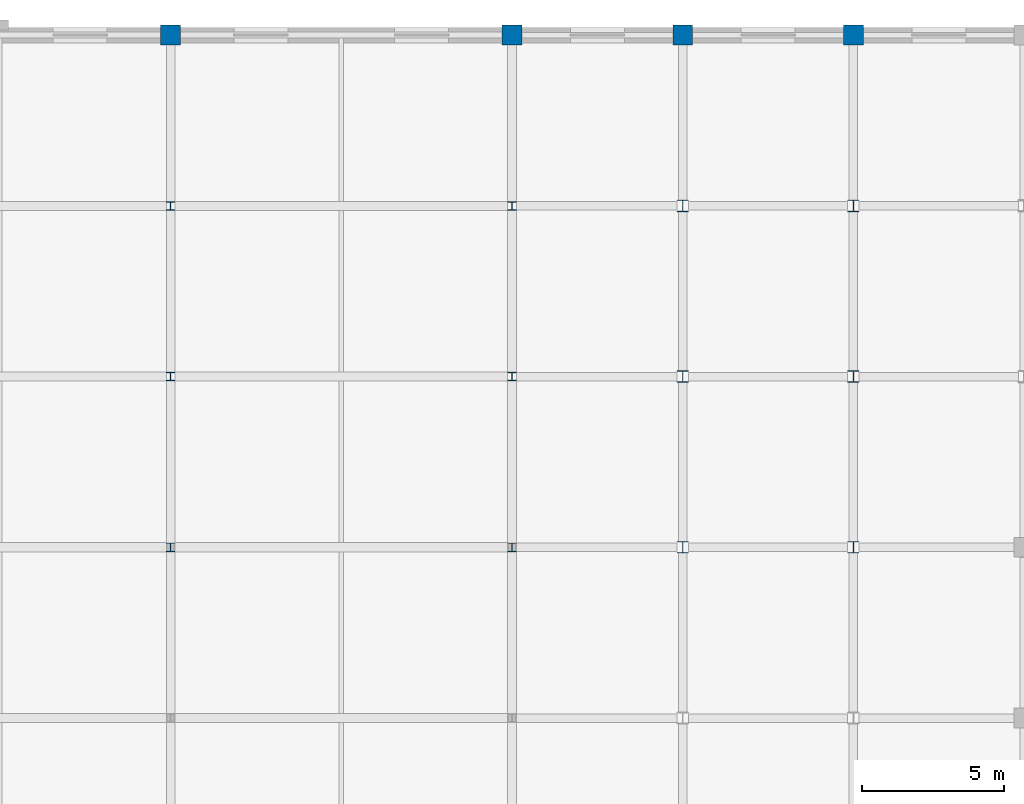
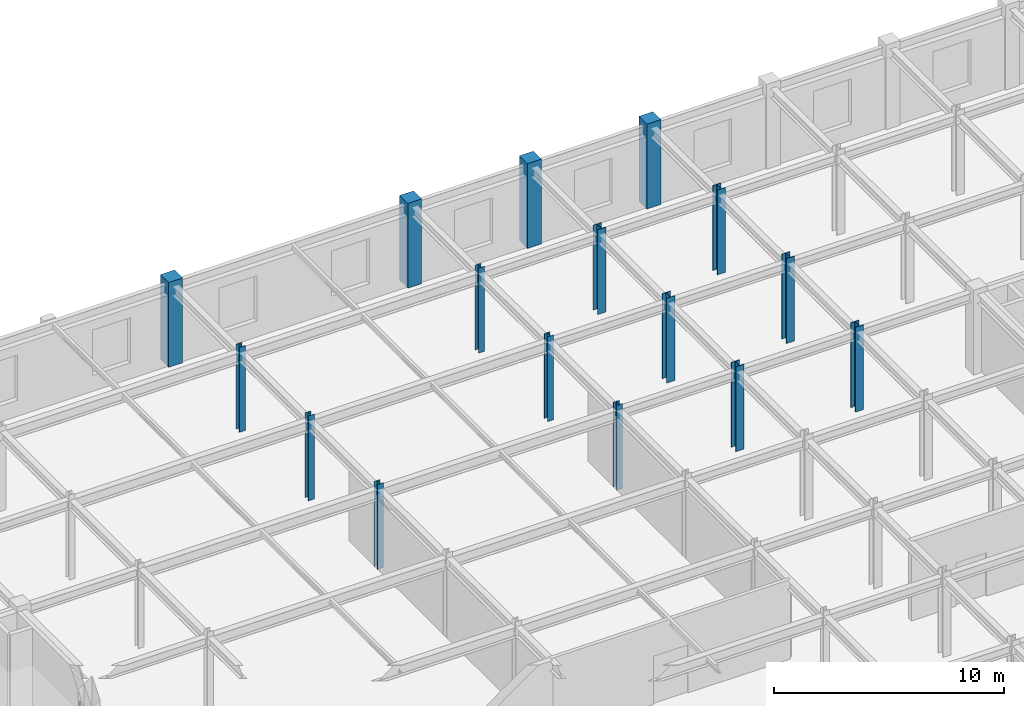
# One storey, part 13 of 108: 16 columns.
"""IFC4 building model written with IfcOpenShell, lengths in metres."""

from ifc_helpers import new_model, si_unit, direction, frame, origin, origin_2d, place, context, subcontext, project, spatial, rectangle, i_section, extrude, material, material_profile, profile_set, type_object, element, save


model = new_model("IFC4")

# Units and contexts
model_context = context("Model", 3, precision=1e-05, world=origin(), true_north=direction((0.0, 1.0)))
body_context = subcontext(model_context, "Body", "Model", "MODEL_VIEW")
ifc_project = project(units=[si_unit("LENGTHUNIT", "METRE"), si_unit("AREAUNIT", "SQUARE_METRE"), si_unit("VOLUMEUNIT", "CUBIC_METRE"), si_unit("PLANEANGLEUNIT", "RADIAN"), si_unit("MASSUNIT", "GRAM", prefix="KILO")], contexts=[model_context])

# Site, building, storey
site_placement = place(None, origin())
site = spatial("IfcSite", under=ifc_project, at=site_placement, CompositionType="ELEMENT")
building_placement = place(site_placement, origin())
building = spatial("IfcBuilding", under=site, at=building_placement, Name="Zlatovratsky Civic Hall", CompositionType="ELEMENT")
storey_placement = place(building_placement, frame((0.0, 0.0, 12.0)))
storey = spatial("IfcBuildingStorey", under=building, at=storey_placement, Name="L03", CompositionType="ELEMENT", Elevation=12.0)

# Columns
ifc_material_1 = material(Name="Concrete C35/45 (B40)", Category="concrete")
ifc_material_profile_1 = material_profile(ifc_material_1, rectangle(XDim=0.699951171875, YDim=0.699951171875, at=origin_2d()), Name="RC 700x700")
ifc_profile_set_1 = profile_set([ifc_material_profile_1], Name="Concrete C35/45 (B40)")
column_type_1 = type_object("IfcColumnType", Name="Col_CorePier_RC700", PredefinedType="COLUMN", material=ifc_profile_set_1)
for number, where, z_axis, x_axis, name in (
    (1, (36.0, 114.0, 0.0), (0.0, 0.0, 1.0), (1.0, 0.0, 0.0), "CL-1532"),
    (2, (48.0, 114.0, 0.0), (0.0, 0.0, 1.0), (1.0, 0.0, 0.0), "CL-1533"),
    (3, (54.0, 114.0, 0.0), (0.0, 0.0, 1.0), (1.0, 0.0, 0.0), "CL-1534"),
    (4, (60.0, 114.0, 0.0), (0.0, 0.0, 1.0), (1.0, 0.0, 0.0), "CL-1535"),
):
    element("IfcColumn", number, at=place(storey_placement, frame(where, z_axis=z_axis, x_axis=x_axis)), inside=storey, type_object=column_type_1, Name=name, PredefinedType="COLUMN", context=body_context, shape_type="SweptSolid", body=[
        extrude(rectangle(XDim=0.699951171875, YDim=0.699951171875, at=origin_2d()), origin(), (0.0, 0.0, 1.0), 4.5),
    ])
ifc_material_2 = material(Name="Steel S355", Category="steel")
ifc_material_profile_2 = material_profile(ifc_material_2, i_section(OverallWidth=0.299072265625, OverallDepth=0.2958984375, WebThickness=0.009033203125, FlangeThickness=0.013916015625, FilletRadius=0.01806640625, at=origin_2d()), Name="30K1")
ifc_profile_set_2 = profile_set([ifc_material_profile_2], Name="Steel S355")
column_type_2 = type_object("IfcColumnType", Name="Col_Steel_30K1", PredefinedType="COLUMN", material=ifc_profile_set_2)
for number, where, z_axis, x_axis, name in (
    (5, (36.0, 96.0, 0.0), (0.0, 0.0, 1.0), (1.0, 0.0, 0.0), "CL-1463"),
    (6, (48.0, 96.0, 0.0), (0.0, 0.0, 1.0), (1.0, 0.0, 0.0), "CL-1464"),
    (7, (36.0, 102.0, 0.0), (0.0, 0.0, 1.0), (1.0, 0.0, 0.0), "CL-1486"),
    (8, (48.0, 102.0, 0.0), (0.0, 0.0, 1.0), (1.0, 0.0, 0.0), "CL-1487"),
    (9, (36.0, 108.0, 0.0), (0.0, 0.0, 1.0), (1.0, 0.0, 0.0), "CL-1509"),
    (10, (48.0, 108.0, 0.0), (0.0, 0.0, 1.0), (1.0, 0.0, 0.0), "CL-1510"),
):
    element("IfcColumn", number, at=place(storey_placement, frame(where, z_axis=z_axis, x_axis=x_axis)), inside=storey, type_object=column_type_2, Name=name, PredefinedType="COLUMN", context=body_context, shape_type="SweptSolid", body=[
        extrude(i_section(OverallWidth=0.299072265625, OverallDepth=0.2958984375, WebThickness=0.009033203125, FlangeThickness=0.013916015625, FilletRadius=0.01806640625, at=origin_2d()), origin(), (0.0, 0.0, 1.0), 4.5),
    ])
ifc_material_profile_3 = material_profile(ifc_material_2, i_section(OverallWidth=0.405029296875, OverallDepth=0.41796875, WebThickness=0.02001953125, FlangeThickness=0.030029296875, FilletRadius=0.02197265625, at=origin_2d()), Name="40K4")
ifc_profile_set_3 = profile_set([ifc_material_profile_3], Name="Steel S355")
column_type_3 = type_object("IfcColumnType", Name="Col_Steel_40K4", PredefinedType="COLUMN", material=ifc_profile_set_3)
for number, where, z_axis, x_axis, name in (
    (11, (54.0, 96.0, 0.0), (0.0, 0.0, 1.0), (1.0, 0.0, 0.0), "CL-1465"),
    (12, (60.0, 96.0, 0.0), (0.0, 0.0, 1.0), (1.0, 0.0, 0.0), "CL-1466"),
    (13, (54.0, 102.0, 0.0), (0.0, 0.0, 1.0), (1.0, 0.0, 0.0), "CL-1488"),
    (14, (60.0, 102.0, 0.0), (0.0, 0.0, 1.0), (1.0, 0.0, 0.0), "CL-1489"),
    (15, (54.0, 108.0, 0.0), (0.0, 0.0, 1.0), (1.0, 0.0, 0.0), "CL-1511"),
    (16, (60.0, 108.0, 0.0), (0.0, 0.0, 1.0), (1.0, 0.0, 0.0), "CL-1512"),
):
    element("IfcColumn", number, at=place(storey_placement, frame(where, z_axis=z_axis, x_axis=x_axis)), inside=storey, type_object=column_type_3, Name=name, PredefinedType="COLUMN", context=body_context, shape_type="SweptSolid", body=[
        extrude(i_section(OverallWidth=0.405029296875, OverallDepth=0.41796875, WebThickness=0.02001953125, FlangeThickness=0.030029296875, FilletRadius=0.02197265625, at=origin_2d()), origin(), (0.0, 0.0, 1.0), 4.5),
    ])

save(model, "model.ifc")
